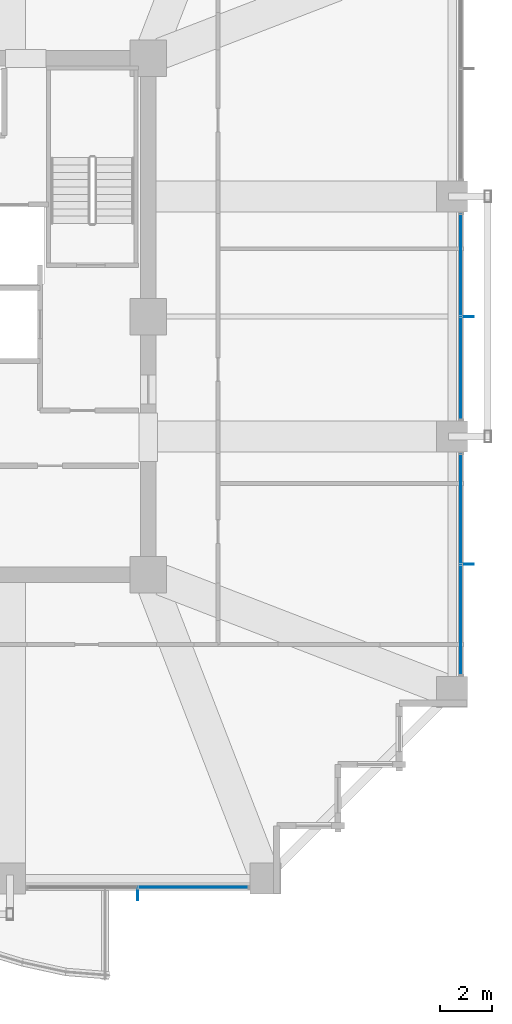
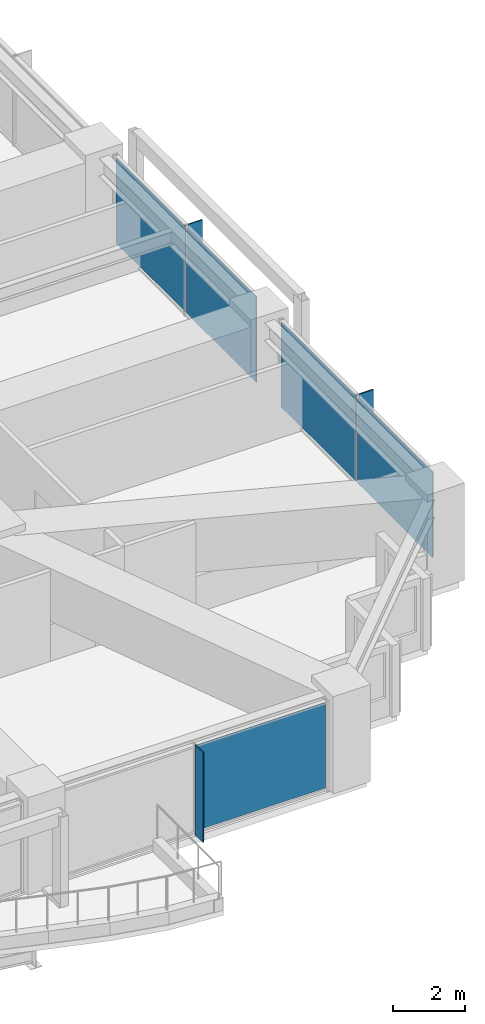
# One storey, part 28 of 37: 8 plates, 3 elements without a shape of their own.
"""IFC4 building model written with IfcOpenShell, lengths in metres."""

from ifc_helpers import new_model, si_unit, direction, frame, origin, origin_2d, place, context, subcontext, project, spatial, rectangle, extrude, material, layer, layer_set, type_object, element, aggregate, save


model = new_model("IFC4")

# Units and contexts
model_context = context("Model", 3, precision=1e-05, world=origin(), true_north=direction((0.0, 1.0)))
body_context = subcontext(model_context, "Body", "Model", "MODEL_VIEW")
ifc_project = project(units=[si_unit("LENGTHUNIT", "METRE"), si_unit("AREAUNIT", "SQUARE_METRE"), si_unit("VOLUMEUNIT", "CUBIC_METRE"), si_unit("PLANEANGLEUNIT", "RADIAN"), si_unit("MASSUNIT", "GRAM", prefix="KILO")], contexts=[model_context])

# Site, building, storey
site_placement = place(None, origin())
site = spatial("IfcSite", under=ifc_project, at=site_placement, CompositionType="ELEMENT")
building_placement = place(site_placement, origin())
building = spatial("IfcBuilding", under=site, at=building_placement, Name="Kolvaren Belvedere", CompositionType="ELEMENT")
storey_placement = place(building_placement, frame((0.0, 0.0, 56.800048828125)))
storey = spatial("IfcBuildingStorey", under=building, at=storey_placement, Name="L16", CompositionType="ELEMENT", Elevation=56.800048828125)

# Curtain wall, plate
ifc_material_1 = material(Name="Anodised pale-metal aluminium AA 6063-T6", Category="aluminium")
curtain_wall_type = type_object("IfcCurtainWallType", Name="CW-Z1-LOW", PredefinedType="NOTDEFINED", material=ifc_material_1)
curtain_wall_1_placement = place(storey_placement, origin())
curtain_wall_1 = element("IfcCurtainWall", 1, at=curtain_wall_1_placement, inside=storey, type_object=curtain_wall_type, Name="L16 Unitised Curtain Wall FCW-L16-S1-B1", PredefinedType="NOTDEFINED")
ifc_material_2 = material(Name="Low-iron triple insulated glass", Category="glass")
ifc_layer_1 = layer(ifc_material_2, 0.028076171875)
ifc_layer_set_1 = layer_set([ifc_layer_1], Name="Low-iron triple insulated glass")
plate_type_1 = type_object("IfcPlateType", Name="CW-PNL-VIS28", PredefinedType="CURTAIN_PANEL", material=ifc_layer_set_1)
plate_1_placement = place(storey_placement, frame((11.62255859375, -21.8798828125, 0.080078125), z_axis=(0.0, 0.0, 1.0), x_axis=(-1.0, 0.0, 0.0)))
plate_1 = element("IfcPlate", 2, at=plate_1_placement, type_object=plate_type_1, Name="FCW-L16-S1-B1 Vision Glazing Panel 1", PredefinedType="CURTAIN_PANEL", context=body_context, shape_type="SweptSolid", body=[
    extrude(rectangle(XDim=4.1650390625, YDim=0.028076171875, at=origin_2d()), origin(), (0.0, 0.0, 1.0), 2.89990234375),
])
aggregate(curtain_wall_1, [plate_1])

# Curtain wall, plates
curtain_wall_2_placement = place(storey_placement, origin())
curtain_wall_2 = element("IfcCurtainWall", 3, at=curtain_wall_2_placement, inside=storey, type_object=curtain_wall_type, Name="L16 Unitised Curtain Wall FCW-L16-E-B2", PredefinedType="NOTDEFINED")
plate_2_placement = place(storey_placement, frame((21.8798828125, 1.972412109375, 0.080078125), z_axis=(0.0, 0.0, 1.0), x_axis=(0.0, -1.0, 0.0)))
plate_2 = element("IfcPlate", 4, at=plate_2_placement, type_object=plate_type_1, Name="FCW-L16-E-B2 Vision Glazing Panel 1", PredefinedType="CURTAIN_PANEL", context=body_context, shape_type="SweptSolid", body=[
    extrude(rectangle(XDim=3.864990234375, YDim=0.028076171875, at=origin_2d()), origin(), (0.0, 0.0, 1.0), 2.89990234375),
])
plate_3_placement = place(storey_placement, frame((21.8798828125, -1.972412109375, 0.080078125), z_axis=(0.0, 0.0, 1.0), x_axis=(0.0, -1.0, 0.0)))
plate_3 = element("IfcPlate", 5, at=plate_3_placement, type_object=plate_type_1, Name="FCW-L16-E-B2 Vision Glazing Panel 2", PredefinedType="CURTAIN_PANEL", context=body_context, shape_type="SweptSolid", body=[
    extrude(rectangle(XDim=3.864990234375, YDim=0.028076171875, at=origin_2d()), origin(), (0.0, 0.0, 1.0), 2.89990234375),
])
aggregate(curtain_wall_2, [plate_2, plate_3])

curtain_wall_3_placement = place(storey_placement, origin())
curtain_wall_3 = element("IfcCurtainWall", 6, at=curtain_wall_3_placement, inside=storey, type_object=curtain_wall_type, Name="L16 Unitised Curtain Wall FCW-L16-E-B3", PredefinedType="NOTDEFINED")
plate_4_placement = place(storey_placement, frame((21.8798828125, -7.37744140625, 0.080078125), z_axis=(0.0, 0.0, 1.0), x_axis=(0.0, -1.0, 0.0)))
plate_4 = element("IfcPlate", 7, at=plate_4_placement, type_object=plate_type_1, Name="FCW-L16-E-B3 Vision Glazing Panel 1", PredefinedType="CURTAIN_PANEL", context=body_context, shape_type="SweptSolid", body=[
    extrude(rectangle(XDim=4.1650390625, YDim=0.028076171875, at=origin_2d()), origin(), (0.0, 0.0, 1.0), 2.89990234375),
])
plate_5_placement = place(storey_placement, frame((21.8798828125, -11.62255859375, 0.080078125), z_axis=(0.0, 0.0, 1.0), x_axis=(0.0, -1.0, 0.0)))
plate_5 = element("IfcPlate", 8, at=plate_5_placement, type_object=plate_type_1, Name="FCW-L16-E-B3 Vision Glazing Panel 2", PredefinedType="CURTAIN_PANEL", context=body_context, shape_type="SweptSolid", body=[
    extrude(rectangle(XDim=4.1650390625, YDim=0.028076171875, at=origin_2d()), origin(), (0.0, 0.0, 1.0), 2.89990234375),
])
aggregate(curtain_wall_3, [plate_4, plate_5])

# Plates
ifc_material_3 = material(Name="Anodised pale-metal aluminium AA 6063-T6", Category="aluminium")
ifc_layer_2 = layer(ifc_material_3, 0.0380859375)
ifc_layer_set_2 = layer_set([ifc_layer_2], Name="Anodised pale-metal aluminium AA 6063-T6")
plate_type_2 = type_object("IfcPlateType", Name="FIN-VERT-450", PredefinedType="USERDEFINED", material=ifc_layer_set_2)
for number, where, z_axis, x_axis, name in (
    (9, (9.5, -22.1650390625, 0.0), (0.0, 0.0, 1.0), (0.0, 1.0, 0.0), "L16 Pale-Metal Vertical Shading Fin FCW-L16-S1-B1-1"),
    (10, (22.1650390625, 0.0, 0.0), (0.0, 0.0, 1.0), (1.0, 0.0, 0.0), "L16 Pale-Metal Vertical Shading Fin FCW-L16-E-B2-1"),
    (11, (22.1650390625, -9.5, 0.0), (0.0, 0.0, 1.0), (1.0, 0.0, 0.0), "L16 Pale-Metal Vertical Shading Fin FCW-L16-E-B3-1"),
):
    element("IfcPlate", number, at=place(storey_placement, frame(where, z_axis=z_axis, x_axis=x_axis)), inside=storey, type_object=plate_type_2, Name=name, ObjectType="VERTICAL FIN", PredefinedType="USERDEFINED", context=body_context, shape_type="SweptSolid", body=[
        extrude(rectangle(XDim=0.449951171875, YDim=0.0380859375, at=origin_2d()), origin(), (0.0, 0.0, 1.0), 3.06005859375),
    ])

save(model, "model.ifc")
